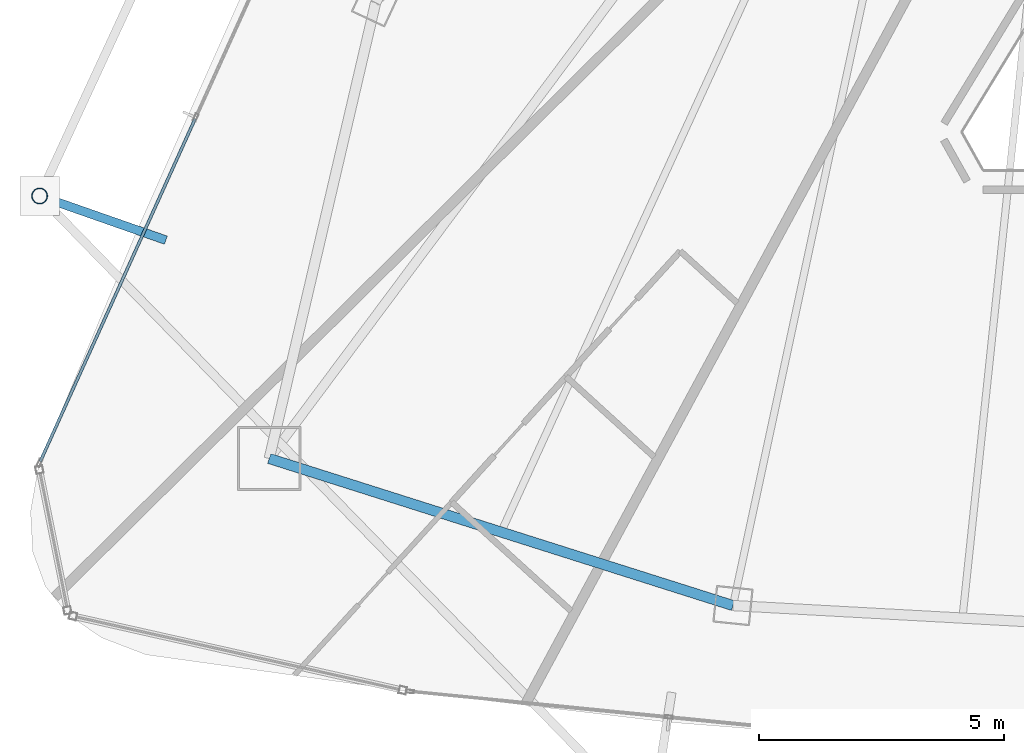
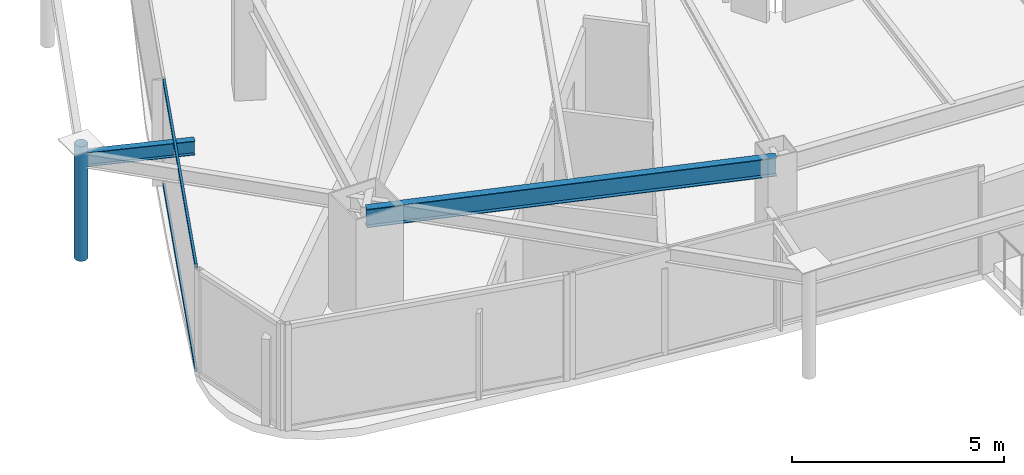
# One storey, part 5 of 34: 3 members, 2 beams, 1 element without a shape of its own.
"""IFC4 building model written with IfcOpenShell, lengths in metres."""

from ifc_helpers import new_model, si_unit, direction, frame, origin, origin_2d, place, context, subcontext, project, spatial, hollow_rectangle, hollow_circle, i_section, extrude, material, layer, layer_set, material_profile, profile_set, type_object, element, aggregate, save


model = new_model("IFC4")

# Units and contexts
model_context = context("Model", 3, precision=1e-05, world=origin(), true_north=direction((0.0, 1.0)))
body_context = subcontext(model_context, "Body", "Model", "MODEL_VIEW")
ifc_project = project(units=[si_unit("LENGTHUNIT", "METRE"), si_unit("AREAUNIT", "SQUARE_METRE"), si_unit("VOLUMEUNIT", "CUBIC_METRE"), si_unit("PLANEANGLEUNIT", "RADIAN"), si_unit("MASSUNIT", "GRAM", prefix="KILO")], contexts=[model_context])

# Site, building, storey
site_placement = place(None, origin())
site = spatial("IfcSite", under=ifc_project, at=site_placement, CompositionType="ELEMENT")
building_placement = place(site_placement, origin())
building = spatial("IfcBuilding", under=site, at=building_placement, Name="Orvanel Arch Residences", CompositionType="ELEMENT")
storey_placement = place(building_placement, frame((0.0, 0.0, 203.0)))
storey = spatial("IfcBuildingStorey", under=building, at=storey_placement, Name="L57", CompositionType="ELEMENT", Elevation=203.0)

# Beams
ifc_material_1 = material(Name="Structural steel AS/NZS 3679.1 Grade 300 (300 MPa)", Category="steel")
ifc_material_profile_1 = material_profile(ifc_material_1, i_section(OverallWidth=0.177978515625, OverallDepth=0.406005859375, WebThickness=0.0078125, FlangeThickness=0.0126953125, at=origin_2d()), Name="410UB59.7")
ifc_profile_set_1 = profile_set([ifc_material_profile_1], Name="Structural steel AS/NZS 3679.1 Grade 300 (300 MPa)")
beam_type_1 = type_object("IfcBeamType", Name="OB-410UB-EXT", PredefinedType="SPANDREL", material=ifc_profile_set_1)
beam_1_placement = place(storey_placement, frame((12.093017578125, 14.801025390625, 2.85693359375), z_axis=(-0.943932339039, 0.330138969703, 0.0), x_axis=(-0.330138969703, -0.943932339039, 0.0)))
element("IfcBeam", 1, at=beam_1_placement, inside=storey, type_object=beam_type_1, Name="L57 Outer Frame Radial Tie Beam 04", PredefinedType="SPANDREL", context=body_context, shape_type="SweptSolid", body=[
    extrude(i_section(OverallWidth=0.177978515625, OverallDepth=0.406005859375, WebThickness=0.0078125, FlangeThickness=0.0126953125, at=origin_2d()), origin(), (0.0, 0.0, 1.0), 2.725830078125),
])
ifc_material_profile_2 = material_profile(ifc_material_1, i_section(OverallWidth=0.208984375, OverallDepth=0.532958984375, WebThickness=0.01025390625, FlangeThickness=0.015625, at=origin_2d()), Name="530UB92.4")
ifc_profile_set_2 = profile_set([ifc_material_profile_2], Name="Structural steel AS/NZS 3679.1 Grade 300 (300 MPa)")
beam_type_2 = type_object("IfcBeamType", Name="SP-530UB", PredefinedType="SPANDREL", material=ifc_profile_set_2)
beam_2_placement = place(storey_placement, frame((14.198974609375, 10.35107421875, 2.79296875), z_axis=(0.953237386592, -0.302222574941, 0.0), x_axis=(0.302222574941, 0.953237386592, 0.0)))
element("IfcBeam", 2, at=beam_2_placement, inside=storey, type_object=beam_type_2, Name="L57 Perimeter Spandrel Beam 02", PredefinedType="SPANDREL", context=body_context, shape_type="SweptSolid", body=[
    extrude(i_section(OverallWidth=0.208984375, OverallDepth=0.532958984375, WebThickness=0.01025390625, FlangeThickness=0.015625, at=origin_2d()), origin(), (0.0, 0.0, 1.0), 9.91357421875),
])

# Member
ifc_material_2 = material(Name="Structural steel AS/NZS 1163 C350L0 (Grade 350)", Category="steel")
ifc_material_profile_3 = material_profile(ifc_material_2, hollow_circle(Radius=0.162109375, WallThickness=0.0126953125, at=origin_2d()), Name="CHS324x12.7")
ifc_profile_set_3 = profile_set([ifc_material_profile_3], Name="Structural steel AS/NZS 1163 C350L0 (Grade 350)")
member_type_1 = type_object("IfcMemberType", Name="ST-324CHS-EXT", PredefinedType="STRUT", material=ifc_profile_set_3)
member_1_placement = place(storey_placement, frame((9.52001953125, 15.700927734375, 0.0), z_axis=(0.0, 0.0, 1.0), x_axis=(1.0, 0.0, 0.0)))
element("IfcMember", 3, at=member_1_placement, inside=storey, type_object=member_type_1, Name="L57 Outer Perimeter Frame Post 04", PredefinedType="STRUT", context=body_context, shape_type="SweptSolid", body=[
    extrude(hollow_circle(Radius=0.162109375, WallThickness=0.0126953125, at=origin_2d()), origin(), (0.0, 0.0, 1.0), 3.300048828125),
])

# Curtain wall, members
ifc_material_3 = material(Name="Bronze-anodised aluminium AA6063-T6", Category="aluminium")
ifc_layer = layer(ifc_material_3, 0.175048828125)
ifc_layer_set = layer_set([ifc_layer], Name="Bronze-anodised aluminium AA6063-T6")
curtain_wall_type = type_object("IfcCurtainWallType", Name="CW4-HI-SYS", PredefinedType="NOTDEFINED", material=ifc_layer_set)
curtain_wall_placement = place(storey_placement, origin())
curtain_wall = element("IfcCurtainWall", 4, at=curtain_wall_placement, inside=storey, type_object=curtain_wall_type, Name="L57 CW4-HI-SYS Unitised Curtain Wall", PredefinedType="NOTDEFINED")
ifc_material_profile_4 = material_profile(ifc_material_3, hollow_rectangle(XDim=0.06005859375, YDim=0.1201171875, WallThickness=0.00341796875, at=origin_2d()), Name="ALU120x60x3.5")
ifc_profile_set_4 = profile_set([ifc_material_profile_4], Name="Bronze-anodised aluminium AA6063-T6")
member_type_2 = type_object("IfcMemberType", Name="TRN-120x60", PredefinedType="USERDEFINED", material=ifc_profile_set_4)
member_2_placement = place(storey_placement, frame((12.6865234375, 17.269775390625, 0.030029296875), z_axis=(-0.411769539128, -0.911288015199, 0.0), x_axis=(0.911288015199, -0.411769539128, 0.0)))
member_2 = element("IfcMember", 5, at=member_2_placement, type_object=member_type_2, Name="CW-S4 transom 2.1", ObjectType="TRANSOM", PredefinedType="USERDEFINED", context=body_context, shape_type="SweptSolid", body=[
    extrude(hollow_rectangle(XDim=0.06005859375, YDim=0.1201171875, WallThickness=0.00341796875, at=origin_2d()), origin(), (0.0, 0.0, 1.0), 7.65673828125),
])
member_3_placement = place(storey_placement, frame((12.6865234375, 17.269775390625, 3.030029296875), z_axis=(-0.411769539128, -0.911288015199, 0.0), x_axis=(0.911288015199, -0.411769539128, 0.0)))
member_3 = element("IfcMember", 6, at=member_3_placement, type_object=member_type_2, Name="CW-S4 transom 2.2", ObjectType="TRANSOM", PredefinedType="USERDEFINED", context=body_context, shape_type="SweptSolid", body=[
    extrude(hollow_rectangle(XDim=0.06005859375, YDim=0.1201171875, WallThickness=0.00341796875, at=origin_2d()), origin(), (0.0, 0.0, 1.0), 7.65673828125),
])
aggregate(curtain_wall, [member_2, member_3])

save(model, "model.ifc")
